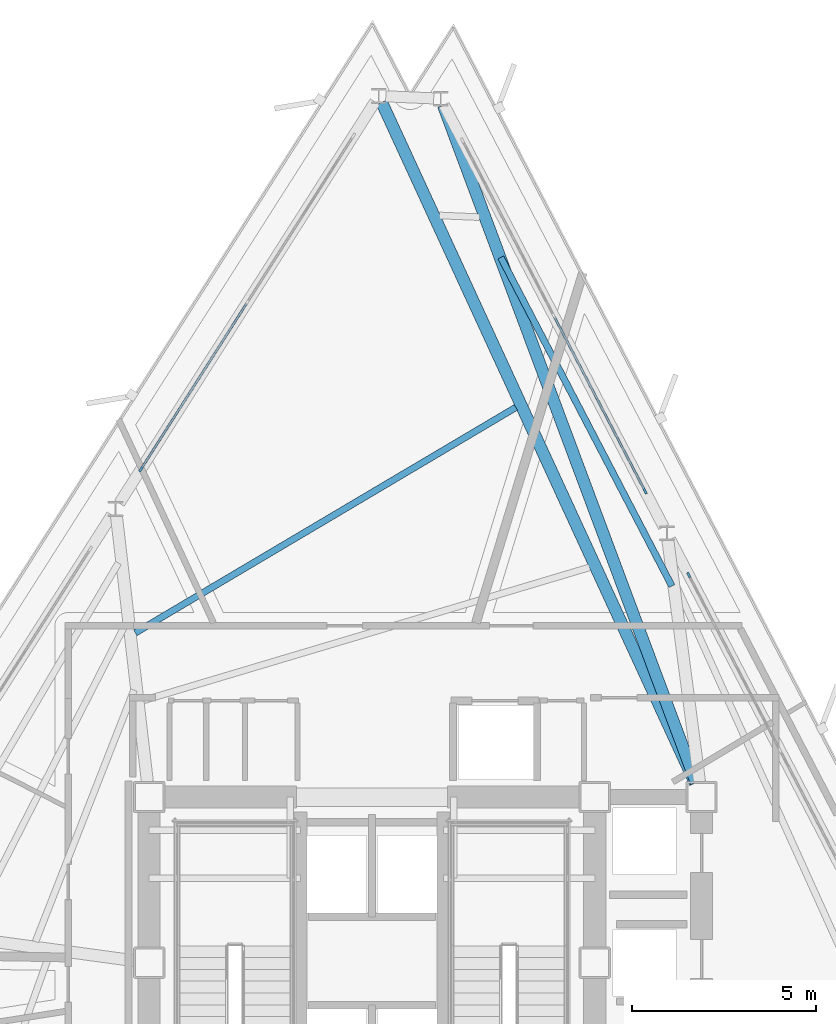
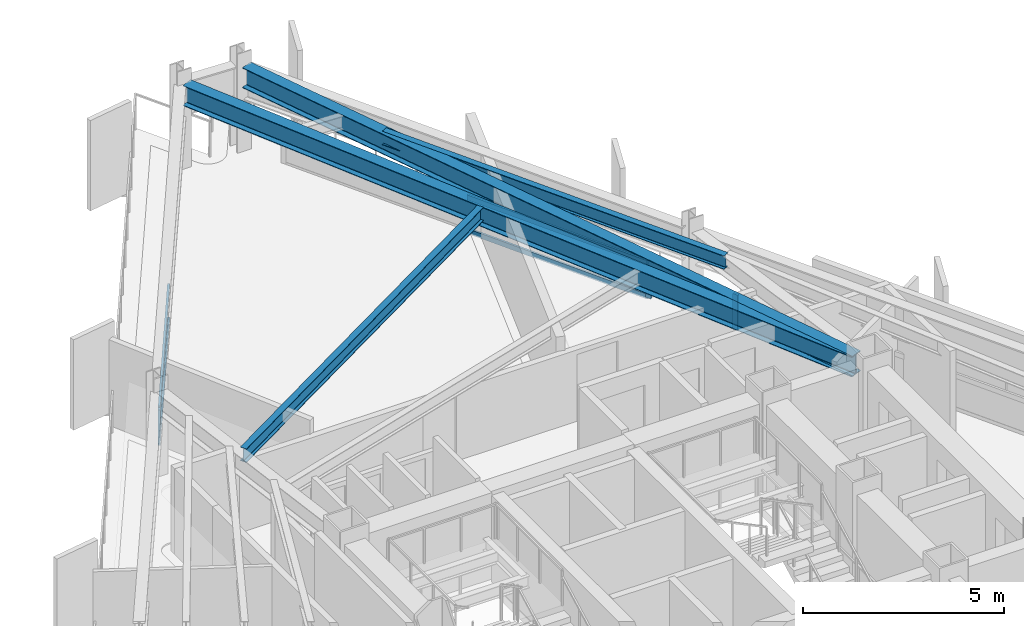
# One storey, part 4 of 12: 7 members, 4 beams, 3 elements without a shape of their own.
"""IFC4 building model written with IfcOpenShell, lengths in metres."""

from ifc_helpers import new_model, si_unit, direction, frame, origin, origin_2d, place, context, subcontext, project, spatial, rectangle, i_section, extrude, material, layer, layer_set, material_profile, profile_set, type_object, element, aggregate, save


model = new_model("IFC4")

# Units and contexts
model_context = context("Model", 3, precision=1e-05, world=origin(), true_north=direction((0.0, 1.0)))
body_context = subcontext(model_context, "Body", "Model", "MODEL_VIEW")
ifc_project = project(units=[si_unit("LENGTHUNIT", "METRE"), si_unit("AREAUNIT", "SQUARE_METRE"), si_unit("VOLUMEUNIT", "CUBIC_METRE"), si_unit("PLANEANGLEUNIT", "RADIAN"), si_unit("MASSUNIT", "GRAM", prefix="KILO")], contexts=[model_context])

# Site, building, storey
site_placement = place(None, origin())
site = spatial("IfcSite", under=ifc_project, at=site_placement, CompositionType="ELEMENT")
building_placement = place(site_placement, origin())
building = spatial("IfcBuilding", under=site, at=building_placement, Name="Rocaltana Carrier Exchange", CompositionType="ELEMENT")
storey_placement = place(building_placement, frame((0.0, 0.0, 144.159912109375)))
storey = spatial("IfcBuildingStorey", under=building, at=storey_placement, Name="L45", CompositionType="ELEMENT", Elevation=144.159912109375)

# Curtain wall, member
ifc_material_1 = material(Name="Aluminium 6063-T6", Category="aluminium")
ifc_layer = layer(ifc_material_1, 0.14990234375)
ifc_layer_set = layer_set([ifc_layer], Name="Aluminium 6063-T6")
curtain_wall_type = type_object("IfcCurtainWallType", Name="Mid-Tower Unitised Curtain Wall CW-03", PredefinedType="NOTDEFINED", material=ifc_layer_set)
curtain_wall_1_placement = place(storey_placement, origin())
curtain_wall_1 = element("IfcCurtainWall", 1, at=curtain_wall_1_placement, inside=storey, type_object=curtain_wall_type, Name="L45 CW-03 Run CW-L45-F1S2", PredefinedType="NOTDEFINED")
ifc_material_2 = material(Name="Aluminium 6063-T6", Category="aluminium")
ifc_material_profile_1 = material_profile(ifc_material_2, rectangle(XDim=0.06005859375, YDim=0.14990234375, at=origin_2d()), Name="AL-60X150")
ifc_profile_set_1 = profile_set([ifc_material_profile_1], Name="Aluminium 6063-T6")
member_type_1 = type_object("IfcMemberType", Name="CW-03 Mullion AL-60X150", PredefinedType="MULLION", material=ifc_profile_set_1)
member_1_placement = place(storey_placement, frame((8.60009765625, 10.531005859375, 0.0), z_axis=(0.0, 0.0, 1.0), x_axis=(-0.887011747812, -0.461746856235, 0.0)))
member_1 = element("IfcMember", 2, at=member_1_placement, type_object=member_type_1, Name="CW-03 mullion 3", PredefinedType="MULLION", context=body_context, shape_type="SweptSolid", body=[
    extrude(rectangle(XDim=0.06005859375, YDim=0.14990234375, at=origin_2d()), origin(), (0.0, 0.0, 1.0), 1.078125),
])
aggregate(curtain_wall_1, [member_1])

curtain_wall_2_placement = place(storey_placement, origin())
curtain_wall_2 = element("IfcCurtainWall", 3, at=curtain_wall_2_placement, inside=storey, type_object=curtain_wall_type, Name="L45 CW-03 Run CW-L45-F1S3", PredefinedType="NOTDEFINED")
member_2_placement = place(storey_placement, frame((7.41796875, 12.8017578125, 0.0), z_axis=(0.0, 0.0, 1.0), x_axis=(-0.887007955385, -0.461754141383, 0.0)))
member_2 = element("IfcMember", 4, at=member_2_placement, type_object=member_type_1, Name="CW-03 mullion 1", PredefinedType="MULLION", context=body_context, shape_type="SweptSolid", body=[
    extrude(rectangle(XDim=0.06005859375, YDim=0.14990234375, at=origin_2d()), origin(), (0.0, 0.0, 1.0), 1.078125),
])

curtain_wall_3_placement = place(storey_placement, origin())
curtain_wall_3 = element("IfcCurtainWall", 5, at=curtain_wall_3_placement, inside=storey, type_object=curtain_wall_type, Name="L45 CW-03 Run CW-L45-F2S1", PredefinedType="NOTDEFINED")
member_3_placement = place(storey_placement, frame((-6.27392578125, 13.3994140625, 0.0), z_axis=(0.0, 0.0, 1.0), x_axis=(0.843390685726, -0.537300801443, 0.0)))
member_3 = element("IfcMember", 6, at=member_3_placement, type_object=member_type_1, Name="CW-03 mullion 3", PredefinedType="MULLION", context=body_context, shape_type="SweptSolid", body=[
    extrude(rectangle(XDim=0.06005859375, YDim=0.14990234375, at=origin_2d()), origin(), (0.0, 0.0, 1.0), 1.078125),
])

# Member
ifc_material_3 = material(Name="Aluminium 6063-T6", Category="aluminium")
ifc_material_profile_2 = material_profile(ifc_material_3, rectangle(XDim=0.06005859375, YDim=0.14990234375, at=origin_2d()), Name="AL-60X150")
ifc_profile_set_2 = profile_set([ifc_material_profile_2], Name="Aluminium 6063-T6")
member_type_2 = type_object("IfcMemberType", Name="CW-03 Transom AL-60X150", PredefinedType="USERDEFINED", material=ifc_profile_set_2)
member_4_placement = place(storey_placement, frame((7.404052734375, 12.828369140625, 0.030029296875), z_axis=(-0.461756588365, 0.887006681543, 0.0), x_axis=(-0.887006681543, -0.461756588365, 0.0)))
member_4 = element("IfcMember", 7, at=member_4_placement, type_object=member_type_2, Name="CW-03 transom 1.1", ObjectType="TRANSOM", PredefinedType="USERDEFINED", context=body_context, shape_type="SweptSolid", body=[
    extrude(rectangle(XDim=0.06005859375, YDim=0.14990234375, at=origin_2d()), origin(), (0.0, 0.0, 1.0), 5.31005859375),
])

member_5_placement = place(storey_placement, frame((7.404052734375, 12.828369140625, 1.048095703125), z_axis=(-0.461756588365, 0.887006681543, 0.0), x_axis=(-0.887006681543, -0.461756588365, 0.0)))
member_5 = element("IfcMember", 8, at=member_5_placement, type_object=member_type_2, Name="CW-03 transom 1.2", ObjectType="TRANSOM", PredefinedType="USERDEFINED", context=body_context, shape_type="SweptSolid", body=[
    extrude(rectangle(XDim=0.06005859375, YDim=0.14990234375, at=origin_2d()), origin(), (0.0, 0.0, 1.0), 5.31005859375),
])

aggregate(curtain_wall_2, [member_2, member_4, member_5])

member_6_placement = place(storey_placement, frame((-3.40478515625, 17.903076171875, 0.030029296875), z_axis=(-0.537306810176, -0.843386857698, 0.0), x_axis=(0.843386857698, -0.537306810176, 0.0)))
member_6 = element("IfcMember", 9, at=member_6_placement, type_object=member_type_2, Name="CW-03 transom 2.1", ObjectType="TRANSOM", PredefinedType="USERDEFINED", context=body_context, shape_type="SweptSolid", body=[
    extrude(rectangle(XDim=0.06005859375, YDim=0.14990234375, at=origin_2d()), origin(), (0.0, 0.0, 1.0), 5.309814453125),
])

member_7_placement = place(storey_placement, frame((-3.40478515625, 17.903076171875, 1.048095703125), z_axis=(-0.537306810176, -0.843386857698, 0.0), x_axis=(0.843386857698, -0.537306810176, 0.0)))
member_7 = element("IfcMember", 10, at=member_7_placement, type_object=member_type_2, Name="CW-03 transom 2.2", ObjectType="TRANSOM", PredefinedType="USERDEFINED", context=body_context, shape_type="SweptSolid", body=[
    extrude(rectangle(XDim=0.06005859375, YDim=0.14990234375, at=origin_2d()), origin(), (0.0, 0.0, 1.0), 5.309814453125),
])

aggregate(curtain_wall_3, [member_3, member_6, member_7])

# Beams
ifc_material_4 = material(Name="Steel S355", Category="steel")
ifc_material_profile_3 = material_profile(ifc_material_4, i_section(OverallWidth=0.179931640625, OverallDepth=0.4130859375, WebThickness=0.009765625, FlangeThickness=0.01611328125, FilletRadius=0.012939453125, at=origin_2d()), Name="W16X50")
ifc_profile_set_3 = profile_set([ifc_material_profile_3], Name="Steel S355")
beam_type_1 = type_object("IfcBeamType", Name="Floor Joist W16X50", PredefinedType="JOIST", material=ifc_profile_set_3)
beam_1_placement = place(storey_placement, frame((8.14404296875, 10.22802734375, 2.41162109375), z_axis=(-0.461750708655, 0.887009742368, 0.0), x_axis=(-0.887009742368, -0.461750708655, 0.0)))
element("IfcBeam", 11, at=beam_1_placement, inside=storey, type_object=beam_type_1, Name="FJ-L45-03-3", PredefinedType="JOIST", context=body_context, shape_type="SweptSolid", body=[
    extrude(i_section(OverallWidth=0.179931640625, OverallDepth=0.4130859375, WebThickness=0.009765625, FlangeThickness=0.01611328125, FilletRadius=0.012939453125, at=origin_2d()), origin(), (0.0, 0.0, 1.0), 10.062255859375),
])
beam_2_placement = place(storey_placement, frame((3.906982421875, 15.081298828125, 2.41162109375), z_axis=(-0.86032256877, -0.509750014876, 0.0), x_axis=(0.509750014876, -0.86032256877, 0.0)))
element("IfcBeam", 12, at=beam_2_placement, inside=storey, type_object=beam_type_1, Name="FJ-L45-05-2", PredefinedType="JOIST", context=body_context, shape_type="SweptSolid", body=[
    extrude(i_section(OverallWidth=0.179931640625, OverallDepth=0.4130859375, WebThickness=0.009765625, FlangeThickness=0.01611328125, FilletRadius=0.012939453125, at=origin_2d()), origin(), (0.0, 0.0, 1.0), 12.010986328125),
])
ifc_material_5 = material(Name="Steel S355", Category="steel")
ifc_material_profile_4 = material_profile(ifc_material_5, i_section(OverallWidth=0.323974609375, OverallDepth=0.611083984375, WebThickness=0.0126953125, FlangeThickness=0.01904296875, FilletRadius=0.01611328125, at=origin_2d()), Name="W24X104")
ifc_profile_set_4 = profile_set([ifc_material_profile_4], Name="Steel S355")
beam_type_2 = type_object("IfcBeamType", Name="Radial Girder W24X104", PredefinedType="BEAM", material=ifc_profile_set_4)
beam_3_placement = place(storey_placement, frame((8.80419921875, 4.890625, 2.3125), z_axis=(-0.349864023054, 0.936800493901, 0.0), x_axis=(-0.936800493901, -0.349864023054, 0.0)))
element("IfcBeam", 13, at=beam_3_placement, inside=storey, type_object=beam_type_2, Name="RG-L45-04", PredefinedType="BEAM", context=body_context, shape_type="SweptSolid", body=[
    extrude(i_section(OverallWidth=0.323974609375, OverallDepth=0.611083984375, WebThickness=0.0126953125, FlangeThickness=0.01904296875, FilletRadius=0.01611328125, at=origin_2d()), origin(), (0.0, 0.0, 1.0), 19.634521484375),
])
beam_4_placement = place(storey_placement, frame((8.775634765625, 4.87890625, 2.3125), z_axis=(-0.418251556262, 0.908331236766, 0.0), x_axis=(-0.908331236766, -0.418251556262, 0.0)))
element("IfcBeam", 14, at=beam_4_placement, inside=storey, type_object=beam_type_2, Name="RG-L45-05", PredefinedType="BEAM", context=body_context, shape_type="SweptSolid", body=[
    extrude(i_section(OverallWidth=0.323974609375, OverallDepth=0.611083984375, WebThickness=0.0126953125, FlangeThickness=0.01904296875, FilletRadius=0.01611328125, at=origin_2d()), origin(), (0.0, 0.0, 1.0), 20.349609375),
])

save(model, "model.ifc")
